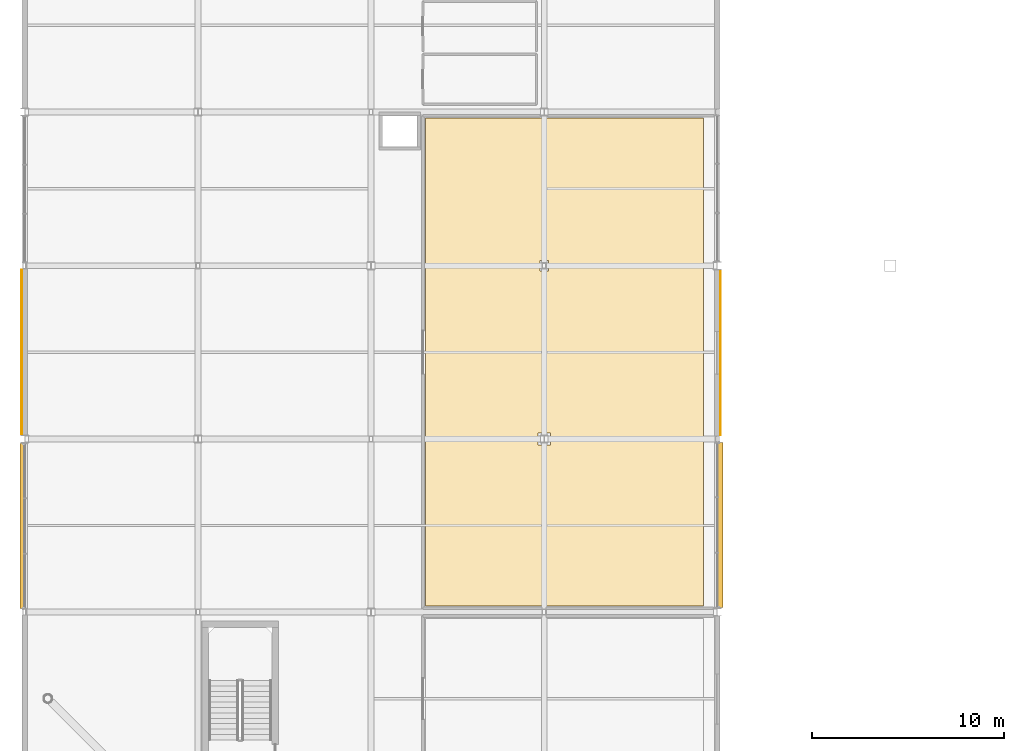
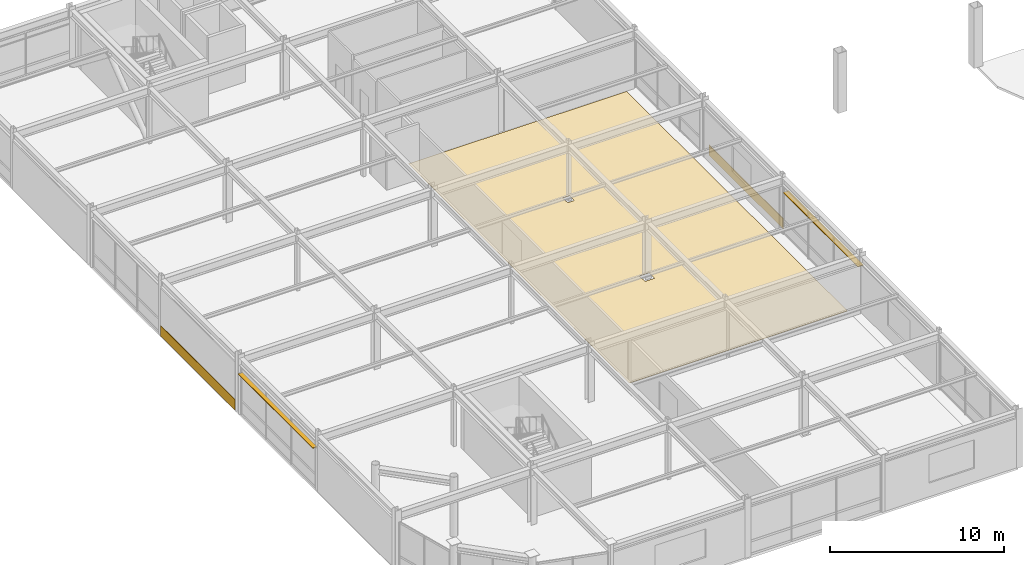
# One storey, part 90 of 105: 3 coverings, 2 shading devices.
"""IFC4 building model written with IfcOpenShell, lengths in metres."""

from ifc_helpers import new_model, si_unit, direction, frame, origin, origin_2d, place, context, subcontext, project, spatial, polyline, rectangle, outline, extrude, material, layer, layer_set, material_profile, profile_set, type_object, element, save


model = new_model("IFC4")

# Units and contexts
model_context = context("Model", 3, precision=1e-05, world=origin(), true_north=direction((0.0, 1.0)))
body_context = subcontext(model_context, "Body", "Model", "MODEL_VIEW")
ifc_project = project(units=[si_unit("LENGTHUNIT", "METRE"), si_unit("AREAUNIT", "SQUARE_METRE"), si_unit("VOLUMEUNIT", "CUBIC_METRE"), si_unit("PLANEANGLEUNIT", "RADIAN"), si_unit("MASSUNIT", "GRAM", prefix="KILO")], contexts=[model_context])

# Site, building, storey
site_placement = place(None, origin())
site = spatial("IfcSite", under=ifc_project, at=site_placement, CompositionType="ELEMENT")
building_placement = place(site_placement, origin())
building = spatial("IfcBuilding", under=site, at=building_placement, Name="Suzunagisa Mobility Hub", CompositionType="ELEMENT")
storey_placement = place(building_placement, frame((0.0, 0.0, 5.10009765625)))
storey = spatial("IfcBuildingStorey", under=building, at=storey_placement, Name="L01", CompositionType="ELEMENT", Elevation=5.10009765625)

# Coverings
ifc_material_1 = material(Name="Polished Aggregate Terrazzo Finish")
ifc_layer_1 = layer(ifc_material_1, 0.02001953125)
ifc_layer_set_1 = layer_set([ifc_layer_1], Name="Polished Aggregate Terrazzo Finish")
covering_type_1 = type_object("IfcCoveringType", Name="Polished Terrazzo Heavy-Traffic Flooring FLR-01", PredefinedType="FLOORING", material=ifc_layer_set_1)
covering_placement = place(storey_placement, origin())
element("IfcCovering", 1, at=covering_placement, inside=storey, type_object=covering_type_1, Name="L01 Cyclist Shower, Changing and Helmet Locker Suite Terrazzo Flooring", PredefinedType="FLOORING", context=body_context, shape_type="SweptSolid", body=[
    extrude(outline(polyline([(35.280029296875, 18.320068359375), (20.820068359375, 18.320068359375), (20.820068359375, 43.679931640625), (26.679931640625, 43.679931640625), (27.320068359375, 43.679931640625), (35.280029296875, 43.679931640625), (35.280029296875, 18.320068359375)]), holes=[polyline([(26.679931640625, 27.320068359375), (26.679931640625, 26.679931640625), (27.320068359375, 26.679931640625), (27.320068359375, 27.320068359375), (26.679931640625, 27.320068359375)]), polyline([(27.219970703125, 36.27001953125), (26.780029296875, 36.27001953125), (26.780029296875, 35.72998046875), (27.219970703125, 35.72998046875), (27.219970703125, 36.27001953125)])]), origin(), (0.0, 0.0, 1.0), 0.02001953125),
])
ifc_material_2 = material(Name="Vitreous Porcelain Enamel Aluminum Cladding", Category="aluminium")
ifc_layer_2 = layer(ifc_material_2, 0.034912109375)
ifc_layer_set_2 = layer_set([ifc_layer_2], Name="Vitreous Porcelain Enamel Aluminum Cladding")
covering_type_2 = type_object("IfcCoveringType", Name="Porcelain Enamel Spandrel Cladding Band CLD-01", PredefinedType="CLADDING", material=ifc_layer_set_2)
for number, where, z_axis, x_axis, name in (
    (2, (36.16748046875, 31.47509765625, 0.06005859375), (0.0, 0.0, 1.0), (0.0, 1.0, 0.0), "L01 Porcelain Spandrel Cladding Band CLD-3"),
    (3, (-0.157470703125, 31.52490234375, 0.06005859375), (0.0, 0.0, 1.0), (0.0, -1.0, 0.0), "L01 Porcelain Spandrel Cladding Band CLD-4"),
):
    element("IfcCovering", number, at=place(storey_placement, frame(where, z_axis=z_axis, x_axis=x_axis)), inside=storey, type_object=covering_type_2, Name=name, PredefinedType="CLADDING", context=body_context, shape_type="SweptSolid", body=[
        extrude(rectangle(XDim=8.550048828125, YDim=0.034912109375, at=origin_2d()), origin(), (0.0, 0.0, 1.0), 0.719970703125),
    ])

# Shading devices
ifc_material_3 = material(Name="Fluoropolymer-Coated Extruded Aluminum 6063-T5", Category="aluminium")
ifc_material_profile_1 = material_profile(ifc_material_3, rectangle(XDim=0.360107421875, YDim=0.050048828125, at=origin_2d()), Name="FIN-360x50")
ifc_profile_set_1 = profile_set([ifc_material_profile_1], Name="Fluoropolymer-Coated Extruded Aluminum 6063-T5")
shading_device_type_1 = type_object("IfcShadingDeviceType", Name="Streamline Aluminum Sunshade SF-01 FIN-360x50", PredefinedType="SHUTTER", material=ifc_profile_set_1)
shading_device_1_placement = place(storey_placement, frame((36.110107421875, 18.22998046875, 2.921875), z_axis=(0.0, 1.0, 0.0), x_axis=(-1.0, 0.0, 0.0)))
element("IfcShadingDevice", 4, at=shading_device_1_placement, inside=storey, type_object=shading_device_type_1, Name="L01 Streamline Speed-Rail Sunshade Fin SF-3", PredefinedType="SHUTTER", context=body_context, shape_type="SweptSolid", body=[
    extrude(rectangle(XDim=0.360107421875, YDim=0.050048828125, at=origin_2d()), origin(), (0.0, 0.0, 1.0), 8.590087890625),
])
ifc_material_profile_2 = material_profile(ifc_material_3, rectangle(XDim=0.280029296875, YDim=0.044921875, at=origin_2d()), Name="FIN-280x45")
ifc_profile_set_2 = profile_set([ifc_material_profile_2], Name="Fluoropolymer-Coated Extruded Aluminum 6063-T5")
shading_device_type_2 = type_object("IfcShadingDeviceType", Name="Streamline Aluminum Sunshade SF-03 FIN-280x45", PredefinedType="USERDEFINED", material=ifc_profile_set_2)
shading_device_2_placement = place(storey_placement, frame((-0.107421875, 26.77001953125, 2.90185546875), z_axis=(0.0, -1.0, 0.0), x_axis=(1.0, 0.0, 0.0)))
element("IfcShadingDevice", 5, at=shading_device_2_placement, inside=storey, type_object=shading_device_type_2, Name="L01 Streamline Speed-Rail Sunshade Fin SF-5", ObjectType="SUNSHADE FIN", PredefinedType="USERDEFINED", context=body_context, shape_type="SweptSolid", body=[
    extrude(rectangle(XDim=0.280029296875, YDim=0.044921875, at=origin_2d()), origin(), (0.0, 0.0, 1.0), 8.590087890625),
])

save(model, "model.ifc")
